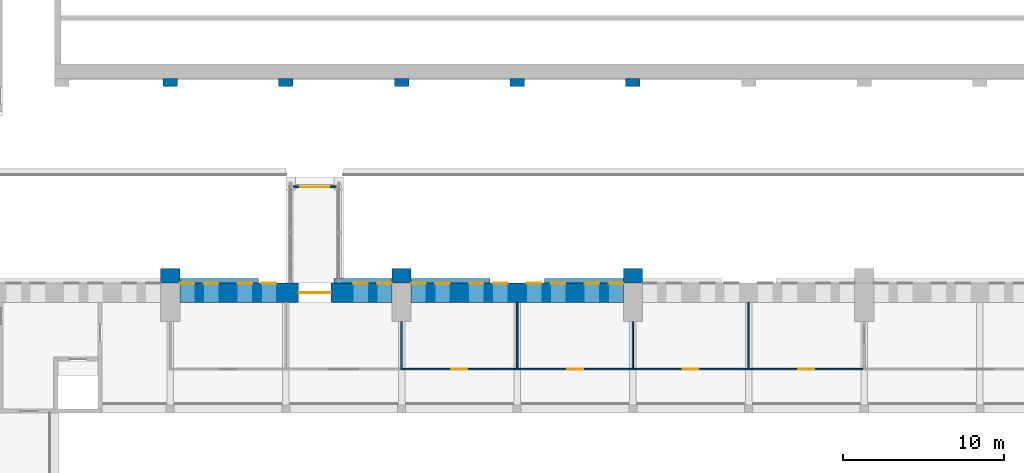
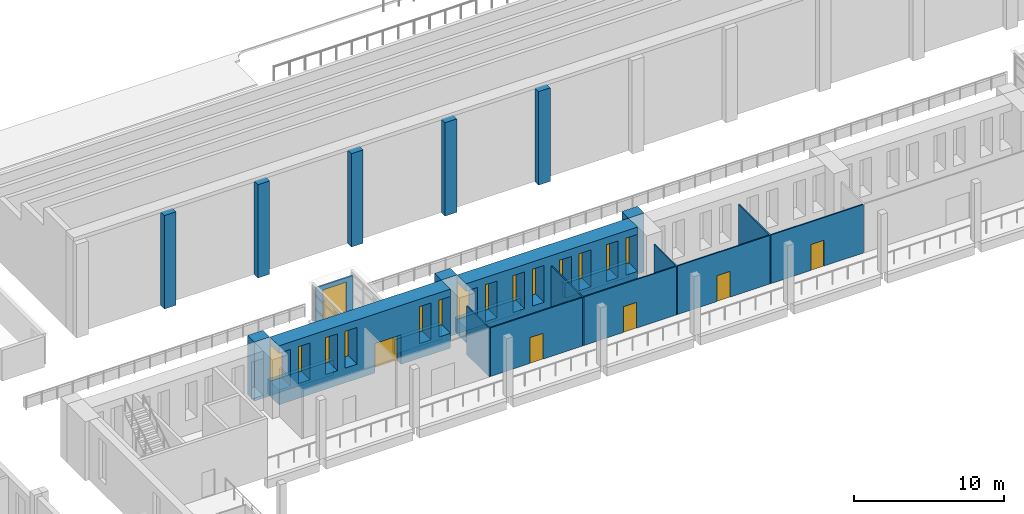
# One storey, part 86 of 131: 23 walls, 14 windows, 6 doors, 20 openings.
"""IFC4 building model written with IfcOpenShell, lengths in metres."""

import ifcopenshell
import ifcopenshell.guid

model = None  # the IFC model being written
_history = None  # IfcOwnerHistory: only IFC2X3 demands one
_inside = {}  # id of a spatial element -> (the spatial element, [elements in it])
_under = {}  # id of a project, library or spatial element -> (it, [spatial elements below it])
_declared = {}  # id of a project -> (the project, [libraries it declares])
_typed = {}  # id of a type object -> (the type object, [elements of that type])
_made_of = {}  # id of a material, layer set ... -> (it, [elements and type objects made of it])


def new_model(schema):
    """Start an empty IFC model of exactly this schema.

    Asked for "IFC4X3", IfcOpenShell would pick the latest addendum, in which some entities
    have other attributes; the version numbers below select the first issue.
    IFC2X3 requires an IfcOwnerHistory on every rooted entity: one is made here for all.
    """
    global model, _history
    if schema == "IFC4X3":
        model = ifcopenshell.file(schema_version=(4, 3, 0, 0))
    else:
        model = ifcopenshell.file(schema=schema)
    _inside.clear()
    _under.clear()
    _declared.clear()
    _typed.clear()
    _made_of.clear()
    _history = None
    if model.schema == "IFC2X3":
        org = make("IfcOrganization", Name="unknown")
        user = make(
            "IfcPersonAndOrganization",
            ThePerson=make("IfcPerson", FamilyName="unknown"),
            TheOrganization=org,
        )
        app = make(
            "IfcApplication",
            ApplicationDeveloper=org,
            Version="unknown",
            ApplicationFullName="unknown",
            ApplicationIdentifier="unknown",
        )
        _history = make(
            "IfcOwnerHistory",
            OwningUser=user,
            OwningApplication=app,
            ChangeAction="ADDED",
            CreationDate=0,
        )
    return model


def make(cls, **values):
    """One entity of the class cls with the attributes given. An attribute that is None is left unset."""
    return model.create_entity(
        cls, **{name: value for name, value in values.items() if value is not None}
    )


def rooted(cls, **values):
    """An entity with a GlobalId (a new one), such as an element, a storey or a relation."""
    return make(cls, GlobalId=ifcopenshell.guid.new(), OwnerHistory=_history, **values)


def si_unit(unit_type, name, prefix=None):
    """IfcSIUnit, for example si_unit("LENGTHUNIT", "METRE", prefix="MILLI")."""
    return make("IfcSIUnit", UnitType=unit_type, Prefix=prefix, Name=name)


def assignment(units):
    """IfcUnitAssignment: the units of a project."""
    return None if units is None else make("IfcUnitAssignment", Units=units)


def point(xyz):
    """IfcCartesianPoint."""
    return None if xyz is None else make("IfcCartesianPoint", Coordinates=xyz)


def direction(xyz):
    """IfcDirection."""
    return None if xyz is None else make("IfcDirection", DirectionRatios=xyz)


def frame(location, z_axis=None, x_axis=None):
    """IfcAxis2Placement3D, a coordinate frame: its origin and axes. An axis left out is left unset."""
    return make(
        "IfcAxis2Placement3D",
        Location=point(location),
        Axis=direction(z_axis),
        RefDirection=direction(x_axis),
    )


def frame_2d(location, x_axis=None):
    """IfcAxis2Placement2D, a coordinate frame in the plane: its origin and x axis."""
    return make(
        "IfcAxis2Placement2D", Location=point(location), RefDirection=direction(x_axis)
    )


def origin():
    """The frame at (0, 0, 0) with its axes left unset."""
    return frame((0.0, 0.0, 0.0))


def place(relative_to, where):
    """IfcLocalPlacement: puts the frame where relative to a parent placement (None: the world)."""
    return make(
        "IfcLocalPlacement", PlacementRelTo=relative_to, RelativePlacement=where
    )


def context(
    kind, dimensions, precision=None, world=None, true_north=None, identifier=None
):
    """IfcGeometricRepresentationContext, for example the 3D "Model" context."""
    return make(
        "IfcGeometricRepresentationContext",
        ContextIdentifier=identifier,
        ContextType=kind,
        CoordinateSpaceDimension=dimensions,
        Precision=precision,
        WorldCoordinateSystem=world,
        TrueNorth=true_north,
    )


def subcontext(parent, identifier, kind, view, scale=None):
    """IfcGeometricRepresentationSubContext, for example "Body" below "Model"."""
    return make(
        "IfcGeometricRepresentationSubContext",
        ContextIdentifier=identifier,
        ContextType=kind,
        ParentContext=parent,
        TargetScale=scale,
        TargetView=view,
    )


def project(units=None, contexts=None):
    """IfcProject with its units and contexts."""
    return rooted(
        "IfcProject",
        Name="project",
        RepresentationContexts=contexts,
        UnitsInContext=assignment(units),
    )


def spatial(cls, under=None, at=None, **own):
    """A site, building, storey or space (cls), placed at a placement, below another one or the project."""
    s = rooted(cls, ObjectPlacement=at, **own)
    if under is not None:
        _under.setdefault(under.id(), (under, []))[1].append(s)
    return s


def profile(cls, at=None, kind="AREA", **sizes):
    """A parametric profile (cls). Its sizes go by their IFC names, for example OverallWidth=200.0."""
    return make(cls, ProfileType=kind, Position=at, **sizes)


def rectangle(**sizes):
    """IfcRectangleProfileDef."""
    return profile("IfcRectangleProfileDef", **sizes)


def extrude(swept, where, along, depth):
    """IfcExtrudedAreaSolid: the profile swept, set in the frame where, extruded along a direction by depth."""
    return make(
        "IfcExtrudedAreaSolid",
        SweptArea=swept,
        Position=where,
        ExtrudedDirection=direction(along),
        Depth=depth,
    )


def shape(context_of_items, identifier, shape_type, items):
    """IfcShapeRepresentation: the items that make up one representation, for example the "Body"."""
    return make(
        "IfcShapeRepresentation",
        ContextOfItems=context_of_items,
        RepresentationIdentifier=identifier,
        RepresentationType=shape_type,
        Items=items,
    )


def material(Name=None, Category=None):
    """IfcMaterial."""
    return make("IfcMaterial", Name=Name, Category=Category)


def layer(
    of_material, thickness, ventilated=None, Name=None, Category=None, Priority=None
):
    """IfcMaterialLayer: one layer of a wall or slab, of a material (None: an air gap)."""
    return make(
        "IfcMaterialLayer",
        Material=of_material,
        LayerThickness=thickness,
        IsVentilated=ventilated,
        Name=Name,
        Category=Category,
        Priority=Priority,
    )


def layer_set(layers, Name=None):
    """IfcMaterialLayerSet."""
    return make("IfcMaterialLayerSet", MaterialLayers=layers, LayerSetName=Name)


def made_of(thing, what):
    """Note that an element or type object is made of a material, layer set ...; save() writes the relation."""
    if what is not None:
        _made_of.setdefault(what.id(), (what, []))[1].append(thing)
    return thing


def type_object(cls, material=None, **own):
    """A type object (cls), such as IfcWallType, which elements share."""
    return made_of(rooted(cls, **own), material)


def element(
    cls,
    number,
    at=None,
    inside=None,
    cuts=None,
    type_object=None,
    material=None,
    context=None,
    identifier="Body",
    shape_type=None,
    held_by="IfcProductDefinitionShape",
    body=None,
    shapes=None,
    **own,
):
    """One element of the class cls, such as IfcWall. Its Tag is "e" and its number.

    at: its placement. inside: the storey or other place that contains it. cuts: it is an
    opening in that element (IfcRelVoidsElement). A single representation is given by context,
    identifier, shape_type and body (its items); several are given by shapes. held_by: the class
    of the entity that holds the representations. save() writes the other relations.
    """
    e = rooted(cls, Tag="e%d" % number, ObjectPlacement=at, **own)
    if body is not None:
        shapes = [shape(context, identifier, shape_type, body)]
    if shapes is not None:
        e.Representation = make(held_by, Representations=shapes)
    if inside is not None:
        _inside.setdefault(inside.id(), (inside, []))[1].append(e)
    if cuts is not None:
        rooted(
            "IfcRelVoidsElement", RelatingBuildingElement=cuts, RelatedOpeningElement=e
        )
    if type_object is not None:
        _typed.setdefault(type_object.id(), (type_object, []))[1].append(e)
    return made_of(e, material)


def fill(opening, filler):
    """IfcRelFillsElement: the door or window that sits in an opening."""
    return rooted(
        "IfcRelFillsElement",
        RelatingOpeningElement=opening,
        RelatedBuildingElement=filler,
    )


def aggregate(whole, parts):
    """IfcRelAggregates: a whole, such as a stair, and the parts it consists of."""
    return rooted("IfcRelAggregates", RelatingObject=whole, RelatedObjects=parts)


def save(model, path):
    """Write the relations noted so far, then the file.

    IfcRelAggregates (storeys below a building ...), IfcRelContainedInSpatialStructure (elements
    in a storey), IfcRelDefinesByType, IfcRelAssociatesMaterial and IfcRelDeclares: one each for
    every whole, place, type object, material and project.
    """
    for whole, parts in _under.values():
        aggregate(whole, parts)
    for where, things in _inside.values():
        rooted(
            "IfcRelContainedInSpatialStructure",
            RelatedElements=things,
            RelatingStructure=where,
        )
    for kind, things in _typed.values():
        rooted("IfcRelDefinesByType", RelatedObjects=things, RelatingType=kind)
    for what, things in _made_of.values():
        rooted("IfcRelAssociatesMaterial", RelatedObjects=things, RelatingMaterial=what)
    for by, libraries in _declared.values():
        rooted("IfcRelDeclares", RelatingContext=by, RelatedDefinitions=libraries)
    model.write(path)


model = new_model("IFC4")

# Units and contexts
model_context = context("Model", 3, precision=1e-05, world=origin(), true_north=direction((0.0, 1.0)))
body_context = subcontext(model_context, "Body", "Model", "MODEL_VIEW")
ifc_project = project(units=[si_unit("LENGTHUNIT", "METRE"), si_unit("AREAUNIT", "SQUARE_METRE"), si_unit("VOLUMEUNIT", "CUBIC_METRE"), si_unit("PLANEANGLEUNIT", "RADIAN"), si_unit("MASSUNIT", "GRAM", prefix="KILO")], contexts=[model_context])

# Site, building, storey
site_placement = place(None, origin())
site = spatial("IfcSite", under=ifc_project, at=site_placement, CompositionType="ELEMENT")
building_placement = place(site_placement, origin())
building = spatial("IfcBuilding", under=site, at=building_placement, Name="Alderwick Market Hall", CompositionType="ELEMENT")
storey_placement = place(building_placement, frame((0.0, 0.0, 4.800048828125)))
storey = spatial("IfcBuildingStorey", under=building, at=storey_placement, Name="L00", CompositionType="ELEMENT", Elevation=4.800048828125)

# Walls
ifc_material_1 = material(Name="Concrete 5000 psi (f'c 35 MPa)", Category="concrete")
ifc_layer_1 = layer(ifc_material_1, 0.89990234375)
ifc_layer_set_1 = layer_set([ifc_layer_1], Name="Concrete 5000 psi (f'c 35 MPa)")
wall_type_1 = type_object("IfcWallType", Name="A RC Bank Buttress 900", PredefinedType="SOLIDWALL", material=ifc_layer_set_1)
for number, where, z_axis, x_axis, name in (
    (1, (64.800048828125, 121.35009765625, 0.0), (0.0, 0.0, 1.0), (0.0, -1.0, 0.0), "Bank buttress"),
    (2, (72.0, 121.35009765625, 0.0), (0.0, 0.0, 1.0), (0.0, -1.0, 0.0), "Bank buttress"),
    (3, (79.199951171875, 121.35009765625, 0.0), (0.0, 0.0, 1.0), (0.0, -1.0, 0.0), "Bank buttress"),
    (4, (86.39990234375, 121.35009765625, 0.0), (0.0, 0.0, 1.0), (0.0, -1.0, 0.0), "Bank buttress"),
    (5, (93.60009765625, 121.35009765625, 0.0), (0.0, 0.0, 1.0), (0.0, -1.0, 0.0), "Bank buttress"),
):
    element("IfcWall", number, at=place(storey_placement, frame(where, z_axis=z_axis, x_axis=x_axis)), inside=storey, type_object=wall_type_1, Name=name, PredefinedType="SOLIDWALL", context=body_context, shape_type="SweptSolid", body=[
        extrude(rectangle(XDim=0.5, YDim=0.89990234375, at=frame_2d((0.25, 0.0))), origin(), (0.0, 0.0, 1.0), 7.599853515625),
    ])
ifc_material_2 = material(Name="Cast stone 5000 psi (f'c 35 MPa), ASTM C1364", Category="masonry")
ifc_layer_2 = layer(ifc_material_2, 0.300048828125)
ifc_layer_set_2 = layer_set([ifc_layer_2], Name="Cast stone 5000 psi (f'c 35 MPa), ASTM C1364")
wall_type_2 = type_object("IfcWallType", Name="H Base course 300", PredefinedType="SOLIDWALL", material=ifc_layer_set_2)
wall_1_placement = place(storey_placement, frame((65.39990234375, 108.75, 0.0), z_axis=(0.0, 0.0, 1.0), x_axis=(1.0, 0.0, 0.0)))
element("IfcWall", 6, at=wall_1_placement, inside=storey, type_object=wall_type_2, Name="Base course N2", PredefinedType="SOLIDWALL", context=body_context, shape_type="SweptSolid", body=[
    extrude(rectangle(XDim=4.900146484375, YDim=0.300048828125, at=frame_2d((2.4501953125, 0.0))), origin(), (0.0, 0.0, 1.0), 1.199951171875),
])
wall_2_placement = place(storey_placement, frame((75.0, 108.75, 0.0), z_axis=(0.0, 0.0, 1.0), x_axis=(1.0, 0.0, 0.0)))
element("IfcWall", 7, at=wall_2_placement, inside=storey, type_object=wall_type_2, Name="Base course N2", PredefinedType="SOLIDWALL", context=body_context, shape_type="SweptSolid", body=[
    extrude(rectangle(XDim=3.60009765625, YDim=0.300048828125, at=frame_2d((1.800048828125, 0.0))), origin(), (0.0, 0.0, 1.0), 1.199951171875),
])
for number, where, z_axis, x_axis, name in (
    (8, (79.800048828125, 108.75, 0.0), (0.0, 0.0, 1.0), (1.0, 0.0, 0.0), "Base course N3"),
    (9, (88.10009765625, 108.75, 0.0), (0.0, 0.0, 1.0), (1.0, 0.0, 0.0), "Base course N3"),
):
    element("IfcWall", number, at=place(storey_placement, frame(where, z_axis=z_axis, x_axis=x_axis)), inside=storey, type_object=wall_type_2, Name=name, PredefinedType="SOLIDWALL", context=body_context, shape_type="SweptSolid", body=[
        extrude(rectangle(XDim=4.89990234375, YDim=0.300048828125, at=frame_2d((2.449951171875, 0.0))), origin(), (0.0, 0.0, 1.0), 1.199951171875),
    ])
ifc_material_3 = material(Name="Face brick masonry, ASTM C216 grade SW (f'm 17 MPa)", Category="masonry")
ifc_layer_3 = layer(ifc_material_3, 0.89990234375)
ifc_layer_set_3 = layer_set([ifc_layer_3], Name="Face brick masonry, ASTM C216 grade SW (f'm 17 MPa)")
wall_type_3 = type_object("IfcWallType", Name="H Buttress pier 900", PredefinedType="SOLIDWALL", material=ifc_layer_set_3)
for number, where, z_axis, x_axis, name in (
    (10, (64.199951171875, 109.050048828125, 0.0), (0.0, 0.0, 1.0), (1.0, 0.0, 0.0), "Buttress pier N2"),
    (11, (78.60009765625, 109.050048828125, 0.0), (0.0, 0.0, 1.0), (1.0, 0.0, 0.0), "Buttress pier N3"),
    (12, (93.0, 109.050048828125, 0.0), (0.0, 0.0, 1.0), (1.0, 0.0, 0.0), "Buttress pier N4"),
):
    element("IfcWall", number, at=place(storey_placement, frame(where, z_axis=z_axis, x_axis=x_axis)), inside=storey, type_object=wall_type_3, Name=name, PredefinedType="SOLIDWALL", context=body_context, shape_type="SweptSolid", body=[
        extrude(rectangle(XDim=1.199951171875, YDim=0.89990234375, at=frame_2d((0.60009765625, 0.0))), origin(), (0.0, 0.0, 1.0), 4.800048828125),
    ])

# Wall, openings, door, windows
ifc_layer_4 = layer(ifc_material_1, 1.199951171875)
ifc_layer_set_4 = layer_set([ifc_layer_4], Name="Concrete 5000 psi (f'c 35 MPa)")
wall_type_4 = type_object("IfcWallType", Name="H Long wall 1200", PredefinedType="SOLIDWALL", material=ifc_layer_set_4)
wall_3_placement = place(storey_placement, frame((65.39990234375, 108.0, 0.0), z_axis=(0.0, 0.0, 1.0), x_axis=(1.0, 0.0, 0.0)))
wall_3 = element("IfcWall", 13, at=wall_3_placement, inside=storey, type_object=wall_type_4, Name="Long wall N L00 2", PredefinedType="SOLIDWALL", context=body_context, shape_type="SweptSolid", body=[
    extrude(rectangle(XDim=13.2001953125, YDim=1.199951171875, at=frame_2d((6.60009765625, 0.0))), origin(), (0.0, 0.0, 1.0), 4.800048828125),
])
opening_1_placement = place(wall_3_placement, frame((7.39990234375, 0.0, 0.0)))
opening_1 = element("IfcOpeningElement", 14, at=opening_1_placement, cuts=wall_3, Name="Opening H-D012", PredefinedType="OPENING", context=body_context, shape_type="SweptSolid", body=[
    extrude(rectangle(XDim=2.0, YDim=2.39990234375, at=frame_2d((1.0, 1.199951171875))), frame((0.0, 0.60986328125, 0.0), z_axis=(0.0, -1.0, 0.0), x_axis=(1.0, 0.0, 0.0)), (0.0, 0.0, 1.0), 1.219970703125),
])
opening_2_placement = place(wall_3_placement, frame((0.0, 0.0, 1.199951171875)))
opening_2 = element("IfcOpeningElement", 15, at=opening_2_placement, cuts=wall_3, Name="Opening H-W117", PredefinedType="OPENING", context=body_context, shape_type="SweptSolid", body=[
    extrude(rectangle(XDim=0.89990234375, YDim=3.0, at=frame_2d((0.449951171875, 1.5))), frame((0.0, 0.60986328125, 0.0), z_axis=(0.0, -1.0, 0.0), x_axis=(1.0, 0.0, 0.0)), (0.0, 0.0, 1.0), 1.219970703125),
])
opening_3_placement = place(wall_3_placement, frame((1.5, 0.0, 1.199951171875)))
opening_3 = element("IfcOpeningElement", 16, at=opening_3_placement, cuts=wall_3, Name="Opening H-W118", PredefinedType="OPENING", context=body_context, shape_type="SweptSolid", body=[
    extrude(rectangle(XDim=0.89990234375, YDim=3.0, at=frame_2d((0.449951171875, 1.5))), frame((0.0, 0.60986328125, 0.0), z_axis=(0.0, -1.0, 0.0), x_axis=(1.0, 0.0, 0.0)), (0.0, 0.0, 1.0), 1.219970703125),
])
opening_4_placement = place(wall_3_placement, frame((3.60009765625, 0.0, 1.199951171875)))
opening_4 = element("IfcOpeningElement", 17, at=opening_4_placement, cuts=wall_3, Name="Opening H-W119", PredefinedType="OPENING", context=body_context, shape_type="SweptSolid", body=[
    extrude(rectangle(XDim=0.89990234375, YDim=3.0, at=frame_2d((0.449951171875, 1.5))), frame((0.0, 0.60986328125, 0.0), z_axis=(0.0, -1.0, 0.0), x_axis=(1.0, 0.0, 0.0)), (0.0, 0.0, 1.0), 1.219970703125),
])
opening_5_placement = place(wall_3_placement, frame((5.10009765625, 0.0, 1.199951171875)))
opening_5 = element("IfcOpeningElement", 18, at=opening_5_placement, cuts=wall_3, Name="Opening H-W120", PredefinedType="OPENING", context=body_context, shape_type="SweptSolid", body=[
    extrude(rectangle(XDim=0.89990234375, YDim=3.0, at=frame_2d((0.449951171875, 1.5))), frame((0.0, 0.60986328125, 0.0), z_axis=(0.0, -1.0, 0.0), x_axis=(1.0, 0.0, 0.0)), (0.0, 0.0, 1.0), 1.219970703125),
])
opening_6_placement = place(wall_3_placement, frame((10.800048828125, 0.0, 1.199951171875)))
opening_6 = element("IfcOpeningElement", 19, at=opening_6_placement, cuts=wall_3, Name="Opening H-W121", PredefinedType="OPENING", context=body_context, shape_type="SweptSolid", body=[
    extrude(rectangle(XDim=0.89990234375, YDim=3.0, at=frame_2d((0.449951171875, 1.5))), frame((0.0, 0.60986328125, 0.0), z_axis=(0.0, -1.0, 0.0), x_axis=(1.0, 0.0, 0.0)), (0.0, 0.0, 1.0), 1.219970703125),
])
opening_7_placement = place(wall_3_placement, frame((12.300048828125, 0.0, 1.199951171875)))
opening_7 = element("IfcOpeningElement", 20, at=opening_7_placement, cuts=wall_3, Name="Opening H-W122", PredefinedType="OPENING", context=body_context, shape_type="SweptSolid", body=[
    extrude(rectangle(XDim=0.89990234375, YDim=3.0, at=frame_2d((0.449951171875, 1.5))), frame((0.0, 0.60986328125, 0.0), z_axis=(0.0, -1.0, 0.0), x_axis=(1.0, 0.0, 0.0)), (0.0, 0.0, 1.0), 1.219970703125),
])
ifc_material_4 = material(Name="Bronze-finished aluminium and glass", Category="aluminium")
door_type_1 = type_object("IfcDoorType", Name="H Passage door 2000x2400", OperationType="DOUBLE_DOOR_SINGLE_SWING", PredefinedType="DOOR", material=ifc_material_4)
door_1_placement = place(opening_1_placement, origin())
door_1 = element("IfcDoor", 21, at=door_1_placement, inside=storey, type_object=door_type_1, Name="Door H-D012", OperationType="DOUBLE_DOOR_SINGLE_SWING", OverallHeight=2.39990234375, OverallWidth=2.0, PredefinedType="DOOR", context=body_context, shape_type="SweptSolid", body=[
    extrude(rectangle(XDim=2.0, YDim=2.39990234375, at=frame_2d((1.0, 1.199951171875))), frame((0.0, 0.02490234375, 0.0), z_axis=(0.0, -1.0, 0.0), x_axis=(1.0, 0.0, 0.0)), (0.0, 0.0, 1.0), 0.050048828125),
])
fill(opening_1, door_1)
ifc_material_5 = material(Name="Aluminium frame with insulated glass", Category="aluminium")
window_type = type_object("IfcWindowType", Name="H Window 900x3000", PartitioningType="SINGLE_PANEL", PredefinedType="WINDOW", material=ifc_material_5)
window_1_placement = place(opening_2_placement, origin())
window_1 = element("IfcWindow", 22, at=window_1_placement, inside=storey, type_object=window_type, Name="Window H-W117", OverallHeight=3.0, OverallWidth=0.89990234375, PartitioningType="SINGLE_PANEL", PredefinedType="WINDOW", context=body_context, shape_type="SweptSolid", body=[
    extrude(rectangle(XDim=0.89990234375, YDim=3.0, at=frame_2d((0.449951171875, 1.5))), frame((0.0, 0.610107421875, 0.0), z_axis=(0.0, -1.0, 0.0), x_axis=(1.0, 0.0, 0.0)), (0.0, 0.0, 1.0), 0.06005859375),
])
fill(opening_2, window_1)
window_2_placement = place(opening_3_placement, origin())
window_2 = element("IfcWindow", 23, at=window_2_placement, inside=storey, type_object=window_type, Name="Window H-W118", OverallHeight=3.0, OverallWidth=0.89990234375, PartitioningType="SINGLE_PANEL", PredefinedType="WINDOW", context=body_context, shape_type="SweptSolid", body=[
    extrude(rectangle(XDim=0.89990234375, YDim=3.0, at=frame_2d((0.449951171875, 1.5))), frame((0.0, 0.610107421875, 0.0), z_axis=(0.0, -1.0, 0.0), x_axis=(1.0, 0.0, 0.0)), (0.0, 0.0, 1.0), 0.06005859375),
])
fill(opening_3, window_2)
window_3_placement = place(opening_4_placement, origin())
window_3 = element("IfcWindow", 24, at=window_3_placement, inside=storey, type_object=window_type, Name="Window H-W119", OverallHeight=3.0, OverallWidth=0.89990234375, PartitioningType="SINGLE_PANEL", PredefinedType="WINDOW", context=body_context, shape_type="SweptSolid", body=[
    extrude(rectangle(XDim=0.89990234375, YDim=3.0, at=frame_2d((0.449951171875, 1.5))), frame((0.0, 0.610107421875, 0.0), z_axis=(0.0, -1.0, 0.0), x_axis=(1.0, 0.0, 0.0)), (0.0, 0.0, 1.0), 0.06005859375),
])
fill(opening_4, window_3)
window_4_placement = place(opening_5_placement, origin())
window_4 = element("IfcWindow", 25, at=window_4_placement, inside=storey, type_object=window_type, Name="Window H-W120", OverallHeight=3.0, OverallWidth=0.89990234375, PartitioningType="SINGLE_PANEL", PredefinedType="WINDOW", context=body_context, shape_type="SweptSolid", body=[
    extrude(rectangle(XDim=0.89990234375, YDim=3.0, at=frame_2d((0.449951171875, 1.5))), frame((0.0, 0.610107421875, 0.0), z_axis=(0.0, -1.0, 0.0), x_axis=(1.0, 0.0, 0.0)), (0.0, 0.0, 1.0), 0.06005859375),
])
fill(opening_5, window_4)
window_5_placement = place(opening_6_placement, origin())
window_5 = element("IfcWindow", 26, at=window_5_placement, inside=storey, type_object=window_type, Name="Window H-W121", OverallHeight=3.0, OverallWidth=0.89990234375, PartitioningType="SINGLE_PANEL", PredefinedType="WINDOW", context=body_context, shape_type="SweptSolid", body=[
    extrude(rectangle(XDim=0.89990234375, YDim=3.0, at=frame_2d((0.449951171875, 1.5))), frame((0.0, 0.610107421875, 0.0), z_axis=(0.0, -1.0, 0.0), x_axis=(1.0, 0.0, 0.0)), (0.0, 0.0, 1.0), 0.06005859375),
])
fill(opening_6, window_5)
window_6_placement = place(opening_7_placement, origin())
window_6 = element("IfcWindow", 27, at=window_6_placement, inside=storey, type_object=window_type, Name="Window H-W122", OverallHeight=3.0, OverallWidth=0.89990234375, PartitioningType="SINGLE_PANEL", PredefinedType="WINDOW", context=body_context, shape_type="SweptSolid", body=[
    extrude(rectangle(XDim=0.89990234375, YDim=3.0, at=frame_2d((0.449951171875, 1.5))), frame((0.0, 0.610107421875, 0.0), z_axis=(0.0, -1.0, 0.0), x_axis=(1.0, 0.0, 0.0)), (0.0, 0.0, 1.0), 0.06005859375),
])
fill(opening_7, window_6)

# Wall, openings, windows
wall_4_placement = place(storey_placement, frame((79.800048828125, 108.0, 0.0), z_axis=(0.0, 0.0, 1.0), x_axis=(1.0, 0.0, 0.0)))
wall_4 = element("IfcWall", 28, at=wall_4_placement, inside=storey, type_object=wall_type_4, Name="Long wall N L00 3", PredefinedType="SOLIDWALL", context=body_context, shape_type="SweptSolid", body=[
    extrude(rectangle(XDim=13.199951171875, YDim=1.199951171875, at=frame_2d((6.60009765625, 0.0))), origin(), (0.0, 0.0, 1.0), 4.800048828125),
])
opening_8_placement = place(wall_4_placement, frame((0.0, 0.0, 1.199951171875)))
opening_8 = element("IfcOpeningElement", 29, at=opening_8_placement, cuts=wall_4, Name="Opening H-W123", PredefinedType="OPENING", context=body_context, shape_type="SweptSolid", body=[
    extrude(rectangle(XDim=0.89990234375, YDim=3.0, at=frame_2d((0.449951171875, 1.5))), frame((0.0, 0.60986328125, 0.0), z_axis=(0.0, -1.0, 0.0), x_axis=(1.0, 0.0, 0.0)), (0.0, 0.0, 1.0), 1.219970703125),
])
opening_9_placement = place(wall_4_placement, frame((1.5, 0.0, 1.199951171875)))
opening_9 = element("IfcOpeningElement", 30, at=opening_9_placement, cuts=wall_4, Name="Opening H-W124", PredefinedType="OPENING", context=body_context, shape_type="SweptSolid", body=[
    extrude(rectangle(XDim=0.89990234375, YDim=3.0, at=frame_2d((0.449951171875, 1.5))), frame((0.0, 0.60986328125, 0.0), z_axis=(0.0, -1.0, 0.0), x_axis=(1.0, 0.0, 0.0)), (0.0, 0.0, 1.0), 1.219970703125),
])
opening_10_placement = place(wall_4_placement, frame((3.60009765625, 0.0, 1.199951171875)))
opening_10 = element("IfcOpeningElement", 31, at=opening_10_placement, cuts=wall_4, Name="Opening H-W125", PredefinedType="OPENING", context=body_context, shape_type="SweptSolid", body=[
    extrude(rectangle(XDim=0.89990234375, YDim=3.0, at=frame_2d((0.449951171875, 1.5))), frame((0.0, 0.60986328125, 0.0), z_axis=(0.0, -1.0, 0.0), x_axis=(1.0, 0.0, 0.0)), (0.0, 0.0, 1.0), 1.219970703125),
])
opening_11_placement = place(wall_4_placement, frame((5.10009765625, 0.0, 1.199951171875)))
opening_11 = element("IfcOpeningElement", 32, at=opening_11_placement, cuts=wall_4, Name="Opening H-W126", PredefinedType="OPENING", context=body_context, shape_type="SweptSolid", body=[
    extrude(rectangle(XDim=0.89990234375, YDim=3.0, at=frame_2d((0.449951171875, 1.5))), frame((0.0, 0.60986328125, 0.0), z_axis=(0.0, -1.0, 0.0), x_axis=(1.0, 0.0, 0.0)), (0.0, 0.0, 1.0), 1.219970703125),
])
opening_12_placement = place(wall_4_placement, frame((7.199951171875, 0.0, 1.199951171875)))
opening_12 = element("IfcOpeningElement", 33, at=opening_12_placement, cuts=wall_4, Name="Opening H-W127", PredefinedType="OPENING", context=body_context, shape_type="SweptSolid", body=[
    extrude(rectangle(XDim=0.89990234375, YDim=3.0, at=frame_2d((0.449951171875, 1.5))), frame((0.0, 0.60986328125, 0.0), z_axis=(0.0, -1.0, 0.0), x_axis=(1.0, 0.0, 0.0)), (0.0, 0.0, 1.0), 1.219970703125),
])
opening_13_placement = place(wall_4_placement, frame((8.699951171875, 0.0, 1.199951171875)))
opening_13 = element("IfcOpeningElement", 34, at=opening_13_placement, cuts=wall_4, Name="Opening H-W128", PredefinedType="OPENING", context=body_context, shape_type="SweptSolid", body=[
    extrude(rectangle(XDim=0.89990234375, YDim=3.0, at=frame_2d((0.449951171875, 1.5))), frame((0.0, 0.60986328125, 0.0), z_axis=(0.0, -1.0, 0.0), x_axis=(1.0, 0.0, 0.0)), (0.0, 0.0, 1.0), 1.219970703125),
])
opening_14_placement = place(wall_4_placement, frame((10.800048828125, 0.0, 1.199951171875)))
opening_14 = element("IfcOpeningElement", 35, at=opening_14_placement, cuts=wall_4, Name="Opening H-W129", PredefinedType="OPENING", context=body_context, shape_type="SweptSolid", body=[
    extrude(rectangle(XDim=0.89990234375, YDim=3.0, at=frame_2d((0.449951171875, 1.5))), frame((0.0, 0.60986328125, 0.0), z_axis=(0.0, -1.0, 0.0), x_axis=(1.0, 0.0, 0.0)), (0.0, 0.0, 1.0), 1.219970703125),
])
opening_15_placement = place(wall_4_placement, frame((12.300048828125, 0.0, 1.199951171875)))
opening_15 = element("IfcOpeningElement", 36, at=opening_15_placement, cuts=wall_4, Name="Opening H-W130", PredefinedType="OPENING", context=body_context, shape_type="SweptSolid", body=[
    extrude(rectangle(XDim=0.89990234375, YDim=3.0, at=frame_2d((0.449951171875, 1.5))), frame((0.0, 0.60986328125, 0.0), z_axis=(0.0, -1.0, 0.0), x_axis=(1.0, 0.0, 0.0)), (0.0, 0.0, 1.0), 1.219970703125),
])
window_7_placement = place(opening_8_placement, origin())
window_7 = element("IfcWindow", 37, at=window_7_placement, inside=storey, type_object=window_type, Name="Window H-W123", OverallHeight=3.0, OverallWidth=0.89990234375, PartitioningType="SINGLE_PANEL", PredefinedType="WINDOW", context=body_context, shape_type="SweptSolid", body=[
    extrude(rectangle(XDim=0.89990234375, YDim=3.0, at=frame_2d((0.449951171875, 1.5))), frame((0.0, 0.610107421875, 0.0), z_axis=(0.0, -1.0, 0.0), x_axis=(1.0, 0.0, 0.0)), (0.0, 0.0, 1.0), 0.06005859375),
])
fill(opening_8, window_7)
window_8_placement = place(opening_9_placement, origin())
window_8 = element("IfcWindow", 38, at=window_8_placement, inside=storey, type_object=window_type, Name="Window H-W124", OverallHeight=3.0, OverallWidth=0.89990234375, PartitioningType="SINGLE_PANEL", PredefinedType="WINDOW", context=body_context, shape_type="SweptSolid", body=[
    extrude(rectangle(XDim=0.89990234375, YDim=3.0, at=frame_2d((0.449951171875, 1.5))), frame((0.0, 0.610107421875, 0.0), z_axis=(0.0, -1.0, 0.0), x_axis=(1.0, 0.0, 0.0)), (0.0, 0.0, 1.0), 0.06005859375),
])
fill(opening_9, window_8)
window_9_placement = place(opening_10_placement, origin())
window_9 = element("IfcWindow", 39, at=window_9_placement, inside=storey, type_object=window_type, Name="Window H-W125", OverallHeight=3.0, OverallWidth=0.89990234375, PartitioningType="SINGLE_PANEL", PredefinedType="WINDOW", context=body_context, shape_type="SweptSolid", body=[
    extrude(rectangle(XDim=0.89990234375, YDim=3.0, at=frame_2d((0.449951171875, 1.5))), frame((0.0, 0.610107421875, 0.0), z_axis=(0.0, -1.0, 0.0), x_axis=(1.0, 0.0, 0.0)), (0.0, 0.0, 1.0), 0.06005859375),
])
fill(opening_10, window_9)
window_10_placement = place(opening_11_placement, origin())
window_10 = element("IfcWindow", 40, at=window_10_placement, inside=storey, type_object=window_type, Name="Window H-W126", OverallHeight=3.0, OverallWidth=0.89990234375, PartitioningType="SINGLE_PANEL", PredefinedType="WINDOW", context=body_context, shape_type="SweptSolid", body=[
    extrude(rectangle(XDim=0.89990234375, YDim=3.0, at=frame_2d((0.449951171875, 1.5))), frame((0.0, 0.610107421875, 0.0), z_axis=(0.0, -1.0, 0.0), x_axis=(1.0, 0.0, 0.0)), (0.0, 0.0, 1.0), 0.06005859375),
])
fill(opening_11, window_10)
window_11_placement = place(opening_12_placement, origin())
window_11 = element("IfcWindow", 41, at=window_11_placement, inside=storey, type_object=window_type, Name="Window H-W127", OverallHeight=3.0, OverallWidth=0.89990234375, PartitioningType="SINGLE_PANEL", PredefinedType="WINDOW", context=body_context, shape_type="SweptSolid", body=[
    extrude(rectangle(XDim=0.89990234375, YDim=3.0, at=frame_2d((0.449951171875, 1.5))), frame((0.0, 0.610107421875, 0.0), z_axis=(0.0, -1.0, 0.0), x_axis=(1.0, 0.0, 0.0)), (0.0, 0.0, 1.0), 0.06005859375),
])
fill(opening_12, window_11)
window_12_placement = place(opening_13_placement, origin())
window_12 = element("IfcWindow", 42, at=window_12_placement, inside=storey, type_object=window_type, Name="Window H-W128", OverallHeight=3.0, OverallWidth=0.89990234375, PartitioningType="SINGLE_PANEL", PredefinedType="WINDOW", context=body_context, shape_type="SweptSolid", body=[
    extrude(rectangle(XDim=0.89990234375, YDim=3.0, at=frame_2d((0.449951171875, 1.5))), frame((0.0, 0.610107421875, 0.0), z_axis=(0.0, -1.0, 0.0), x_axis=(1.0, 0.0, 0.0)), (0.0, 0.0, 1.0), 0.06005859375),
])
fill(opening_13, window_12)
window_13_placement = place(opening_14_placement, origin())
window_13 = element("IfcWindow", 43, at=window_13_placement, inside=storey, type_object=window_type, Name="Window H-W129", OverallHeight=3.0, OverallWidth=0.89990234375, PartitioningType="SINGLE_PANEL", PredefinedType="WINDOW", context=body_context, shape_type="SweptSolid", body=[
    extrude(rectangle(XDim=0.89990234375, YDim=3.0, at=frame_2d((0.449951171875, 1.5))), frame((0.0, 0.610107421875, 0.0), z_axis=(0.0, -1.0, 0.0), x_axis=(1.0, 0.0, 0.0)), (0.0, 0.0, 1.0), 0.06005859375),
])
fill(opening_14, window_13)
window_14_placement = place(opening_15_placement, origin())
window_14 = element("IfcWindow", 44, at=window_14_placement, inside=storey, type_object=window_type, Name="Window H-W130", OverallHeight=3.0, OverallWidth=0.89990234375, PartitioningType="SINGLE_PANEL", PredefinedType="WINDOW", context=body_context, shape_type="SweptSolid", body=[
    extrude(rectangle(XDim=0.89990234375, YDim=3.0, at=frame_2d((0.449951171875, 1.5))), frame((0.0, 0.610107421875, 0.0), z_axis=(0.0, -1.0, 0.0), x_axis=(1.0, 0.0, 0.0)), (0.0, 0.0, 1.0), 0.06005859375),
])
fill(opening_15, window_14)

# Walls
ifc_material_6 = material(Name="Gypsum board partition")
ifc_layer_5 = layer(ifc_material_6, 0.10009765625)
ifc_layer_set_5 = layer_set([ifc_layer_5], Name="Gypsum board partition")
wall_type_5 = type_object("IfcWallType", Name="H Partition 100", PredefinedType="PARTITIONING", material=ifc_layer_set_5)
wall_5_placement = place(storey_placement, frame((79.199951171875, 106.199951171875, 0.0), z_axis=(0.0, 0.0, 1.0), x_axis=(0.0, -1.0, 0.0)))
element("IfcWall", 45, at=wall_5_placement, inside=storey, type_object=wall_type_5, Name="Partition", PredefinedType="PARTITIONING", context=body_context, shape_type="SweptSolid", body=[
    extrude(rectangle(XDim=3.0, YDim=0.10009765625, at=frame_2d((1.5, 0.0))), origin(), (0.0, 0.0, 1.0), 3.949951171875),
])
wall_6_placement = place(storey_placement, frame((86.39990234375, 107.39990234375, 0.0), z_axis=(0.0, 0.0, 1.0), x_axis=(0.0, -1.0, 0.0)))
element("IfcWall", 46, at=wall_6_placement, inside=storey, type_object=wall_type_5, Name="Partition", PredefinedType="PARTITIONING", context=body_context, shape_type="SweptSolid", body=[
    extrude(rectangle(XDim=4.199951171875, YDim=0.10009765625, at=frame_2d((2.10009765625, 0.0))), origin(), (0.0, 0.0, 1.0), 3.949951171875),
])
wall_7_placement = place(storey_placement, frame((93.60009765625, 106.199951171875, 0.0), z_axis=(0.0, 0.0, 1.0), x_axis=(0.0, -1.0, 0.0)))
element("IfcWall", 47, at=wall_7_placement, inside=storey, type_object=wall_type_5, Name="Partition", PredefinedType="PARTITIONING", context=body_context, shape_type="SweptSolid", body=[
    extrude(rectangle(XDim=3.0, YDim=0.10009765625, at=frame_2d((1.5, 0.0))), origin(), (0.0, 0.0, 1.0), 3.949951171875),
])
wall_8_placement = place(storey_placement, frame((100.800048828125, 107.39990234375, 0.0), z_axis=(0.0, 0.0, 1.0), x_axis=(0.0, -1.0, 0.0)))
element("IfcWall", 48, at=wall_8_placement, inside=storey, type_object=wall_type_5, Name="Partition", PredefinedType="PARTITIONING", context=body_context, shape_type="SweptSolid", body=[
    extrude(rectangle(XDim=4.199951171875, YDim=0.10009765625, at=frame_2d((2.10009765625, 0.0))), origin(), (0.0, 0.0, 1.0), 3.949951171875),
])

# Wall, opening, door
wall_9_placement = place(storey_placement, frame((79.25, 103.25, 0.0), z_axis=(0.0, 0.0, 1.0), x_axis=(1.0, 0.0, 0.0)))
wall_9 = element("IfcWall", 49, at=wall_9_placement, inside=storey, type_object=wall_type_5, Name="Partition", PredefinedType="PARTITIONING", context=body_context, shape_type="SweptSolid", body=[
    extrude(rectangle(XDim=7.10009765625, YDim=0.10009765625, at=frame_2d((3.550048828125, 0.0))), origin(), (0.0, 0.0, 1.0), 3.949951171875),
])
opening_16_placement = place(wall_9_placement, frame((3.050048828125, 0.0, 0.0)))
opening_16 = element("IfcOpeningElement", 50, at=opening_16_placement, cuts=wall_9, Name="Opening H-D070", PredefinedType="OPENING", context=body_context, shape_type="SweptSolid", body=[
    extrude(rectangle(XDim=1.0, YDim=2.10009765625, at=frame_2d((0.5, 1.050048828125))), frame((0.0, 0.06005859375, 0.0), z_axis=(0.0, -1.0, 0.0), x_axis=(1.0, 0.0, 0.0)), (0.0, 0.0, 1.0), 0.1201171875),
])
ifc_material_7 = material(Name="Timber, solid core", Category="wood")
door_type_2 = type_object("IfcDoorType", Name="H Room door 1000x2100", OperationType="SINGLE_SWING_LEFT", PredefinedType="DOOR", material=ifc_material_7)
door_2_placement = place(opening_16_placement, origin())
door_2 = element("IfcDoor", 51, at=door_2_placement, inside=storey, type_object=door_type_2, Name="Door H-D070", OperationType="SINGLE_SWING_LEFT", OverallHeight=2.10009765625, OverallWidth=1.0, PredefinedType="DOOR", context=body_context, shape_type="SweptSolid", body=[
    extrude(rectangle(XDim=1.0, YDim=2.10009765625, at=frame_2d((0.5, 1.050048828125))), frame((0.0, 0.02490234375, 0.0), z_axis=(0.0, -1.0, 0.0), x_axis=(1.0, 0.0, 0.0)), (0.0, 0.0, 1.0), 0.050048828125),
])
fill(opening_16, door_2)

wall_10_placement = place(storey_placement, frame((86.449951171875, 103.25, 0.0), z_axis=(0.0, 0.0, 1.0), x_axis=(1.0, 0.0, 0.0)))
wall_10 = element("IfcWall", 52, at=wall_10_placement, inside=storey, type_object=wall_type_5, Name="Partition", PredefinedType="PARTITIONING", context=body_context, shape_type="SweptSolid", body=[
    extrude(rectangle(XDim=7.10009765625, YDim=0.10009765625, at=frame_2d((3.550048828125, 0.0))), origin(), (0.0, 0.0, 1.0), 3.949951171875),
])
opening_17_placement = place(wall_10_placement, frame((3.050048828125, 0.0, 0.0)))
opening_17 = element("IfcOpeningElement", 53, at=opening_17_placement, cuts=wall_10, Name="Opening H-D071", PredefinedType="OPENING", context=body_context, shape_type="SweptSolid", body=[
    extrude(rectangle(XDim=1.0, YDim=2.10009765625, at=frame_2d((0.5, 1.050048828125))), frame((0.0, 0.06005859375, 0.0), z_axis=(0.0, -1.0, 0.0), x_axis=(1.0, 0.0, 0.0)), (0.0, 0.0, 1.0), 0.1201171875),
])
door_3_placement = place(opening_17_placement, origin())
door_3 = element("IfcDoor", 54, at=door_3_placement, inside=storey, type_object=door_type_2, Name="Door H-D071", OperationType="SINGLE_SWING_LEFT", OverallHeight=2.10009765625, OverallWidth=1.0, PredefinedType="DOOR", context=body_context, shape_type="SweptSolid", body=[
    extrude(rectangle(XDim=1.0, YDim=2.10009765625, at=frame_2d((0.5, 1.050048828125))), frame((0.0, 0.02490234375, 0.0), z_axis=(0.0, -1.0, 0.0), x_axis=(1.0, 0.0, 0.0)), (0.0, 0.0, 1.0), 0.050048828125),
])
fill(opening_17, door_3)

wall_11_placement = place(storey_placement, frame((93.64990234375, 103.25, 0.0), z_axis=(0.0, 0.0, 1.0), x_axis=(1.0, 0.0, 0.0)))
wall_11 = element("IfcWall", 55, at=wall_11_placement, inside=storey, type_object=wall_type_5, Name="Partition", PredefinedType="PARTITIONING", context=body_context, shape_type="SweptSolid", body=[
    extrude(rectangle(XDim=7.10009765625, YDim=0.10009765625, at=frame_2d((3.550048828125, 0.0))), origin(), (0.0, 0.0, 1.0), 3.949951171875),
])
opening_18_placement = place(wall_11_placement, frame((3.050048828125, 0.0, 0.0)))
opening_18 = element("IfcOpeningElement", 56, at=opening_18_placement, cuts=wall_11, Name="Opening H-D072", PredefinedType="OPENING", context=body_context, shape_type="SweptSolid", body=[
    extrude(rectangle(XDim=1.0, YDim=2.10009765625, at=frame_2d((0.5, 1.050048828125))), frame((0.0, 0.06005859375, 0.0), z_axis=(0.0, -1.0, 0.0), x_axis=(1.0, 0.0, 0.0)), (0.0, 0.0, 1.0), 0.1201171875),
])
door_4_placement = place(opening_18_placement, origin())
door_4 = element("IfcDoor", 57, at=door_4_placement, inside=storey, type_object=door_type_2, Name="Door H-D072", OperationType="SINGLE_SWING_LEFT", OverallHeight=2.10009765625, OverallWidth=1.0, PredefinedType="DOOR", context=body_context, shape_type="SweptSolid", body=[
    extrude(rectangle(XDim=1.0, YDim=2.10009765625, at=frame_2d((0.5, 1.050048828125))), frame((0.0, 0.02490234375, 0.0), z_axis=(0.0, -1.0, 0.0), x_axis=(1.0, 0.0, 0.0)), (0.0, 0.0, 1.0), 0.050048828125),
])
fill(opening_18, door_4)

wall_12_placement = place(storey_placement, frame((100.85009765625, 103.25, 0.0), z_axis=(0.0, 0.0, 1.0), x_axis=(1.0, 0.0, 0.0)))
wall_12 = element("IfcWall", 58, at=wall_12_placement, inside=storey, type_object=wall_type_5, Name="Partition", PredefinedType="PARTITIONING", context=body_context, shape_type="SweptSolid", body=[
    extrude(rectangle(XDim=7.099853515625, YDim=0.10009765625, at=frame_2d((3.5498046875, 0.0))), origin(), (0.0, 0.0, 1.0), 3.949951171875),
])
opening_19_placement = place(wall_12_placement, frame((3.050048828125, 0.0, 0.0)))
opening_19 = element("IfcOpeningElement", 59, at=opening_19_placement, cuts=wall_12, Name="Opening H-D073", PredefinedType="OPENING", context=body_context, shape_type="SweptSolid", body=[
    extrude(rectangle(XDim=1.0, YDim=2.10009765625, at=frame_2d((0.5, 1.050048828125))), frame((0.0, 0.06005859375, 0.0), z_axis=(0.0, -1.0, 0.0), x_axis=(1.0, 0.0, 0.0)), (0.0, 0.0, 1.0), 0.1201171875),
])
door_5_placement = place(opening_19_placement, origin())
door_5 = element("IfcDoor", 60, at=door_5_placement, inside=storey, type_object=door_type_2, Name="Door H-D073", OperationType="SINGLE_SWING_LEFT", OverallHeight=2.10009765625, OverallWidth=1.0, PredefinedType="DOOR", context=body_context, shape_type="SweptSolid", body=[
    extrude(rectangle(XDim=1.0, YDim=2.10009765625, at=frame_2d((0.5, 1.050048828125))), frame((0.0, 0.02490234375, 0.0), z_axis=(0.0, -1.0, 0.0), x_axis=(1.0, 0.0, 0.0)), (0.0, 0.0, 1.0), 0.050048828125),
])
fill(opening_19, door_5)

ifc_material_8 = material(Name="Aluminium frame with glazing infill", Category="aluminium")
ifc_layer_6 = layer(ifc_material_8, 0.1201171875)
ifc_layer_set_6 = layer_set([ifc_layer_6], Name="Aluminium frame with glazing infill")
wall_type_6 = type_object("IfcWallType", Name="P Glazed End Wall 120", PredefinedType="SOLIDWALL", material=ifc_layer_set_6)
wall_13_placement = place(storey_placement, frame((72.3759765625, 114.590087890625, 0.0), z_axis=(0.0, 0.0, 1.0), x_axis=(1.0, 0.0, 0.0)))
wall_13 = element("IfcWall", 61, at=wall_13_placement, inside=storey, type_object=wall_type_6, Name="P.P1.endwall.high", PredefinedType="SOLIDWALL", context=body_context, shape_type="SweptSolid", body=[
    extrude(rectangle(XDim=2.84814453125, YDim=0.1201171875, at=frame_2d((1.424072265625, 0.0))), origin(), (0.0, 0.0, 1.0), 2.7529296875),
])
opening_20_placement = place(wall_13_placement, frame((0.52392578125, 0.0, 0.0)))
opening_20 = element("IfcOpeningElement", 62, at=opening_20_placement, cuts=wall_13, Name="Opening P-D001", PredefinedType="OPENING", context=body_context, shape_type="SweptSolid", body=[
    extrude(rectangle(XDim=1.800048828125, YDim=2.39990234375, at=frame_2d((0.89990234375, 1.199951171875))), frame((0.0, 0.070068359375, 0.0), z_axis=(0.0, -1.0, 0.0), x_axis=(1.0, 0.0, 0.0)), (0.0, 0.0, 1.0), 0.14013671875),
])
ifc_material_9 = material(Name="Aluminium frame and glass", Category="aluminium")
door_type_3 = type_object("IfcDoorType", Name="P Glazed Double Door 1800x2400", OperationType="DOUBLE_DOOR_DOUBLE_SWING", PredefinedType="DOOR", material=ifc_material_9)
door_6_placement = place(opening_20_placement, origin())
door_6 = element("IfcDoor", 63, at=door_6_placement, inside=storey, type_object=door_type_3, Name="Passage door onto the roof", OperationType="DOUBLE_DOOR_DOUBLE_SWING", OverallHeight=2.39990234375, OverallWidth=1.800048828125, PredefinedType="DOOR", context=body_context, shape_type="SweptSolid", body=[
    extrude(rectangle(XDim=1.800048828125, YDim=2.39990234375, at=frame_2d((0.89990234375, 1.199951171875))), frame((0.0, 0.02490234375, 0.0), z_axis=(0.0, -1.0, 0.0), x_axis=(1.0, 0.0, 0.0)), (0.0, 0.0, 1.0), 0.050048828125),
])
fill(opening_20, door_6)

save(model, "model.ifc")
